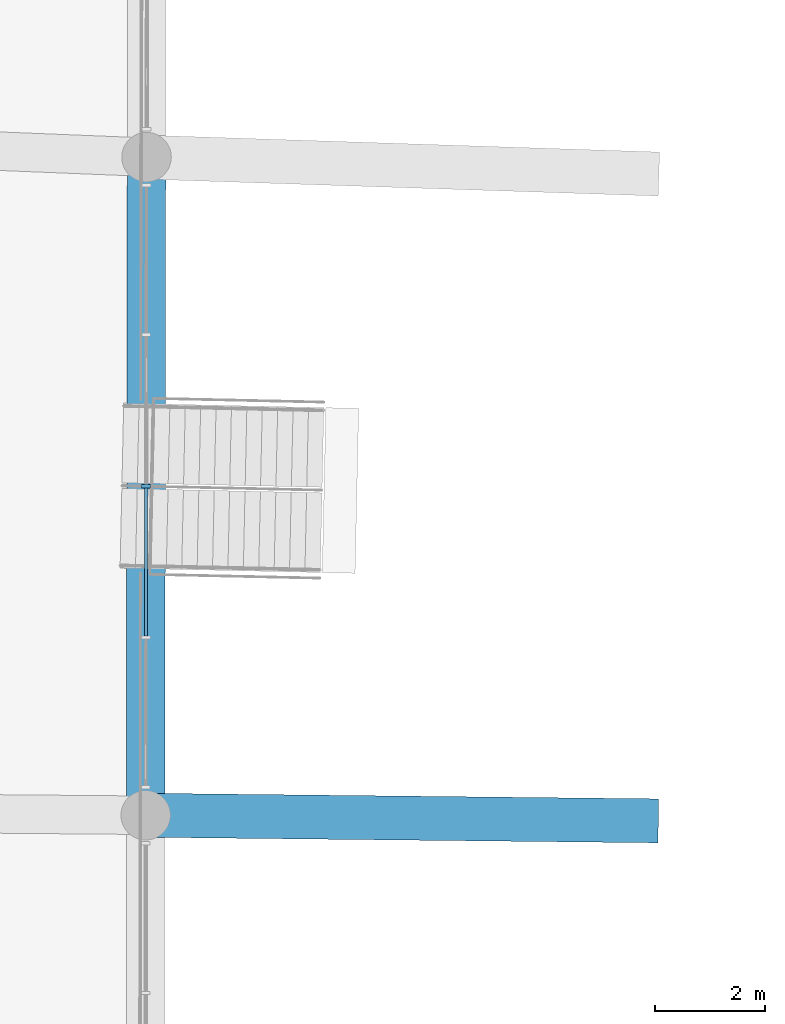
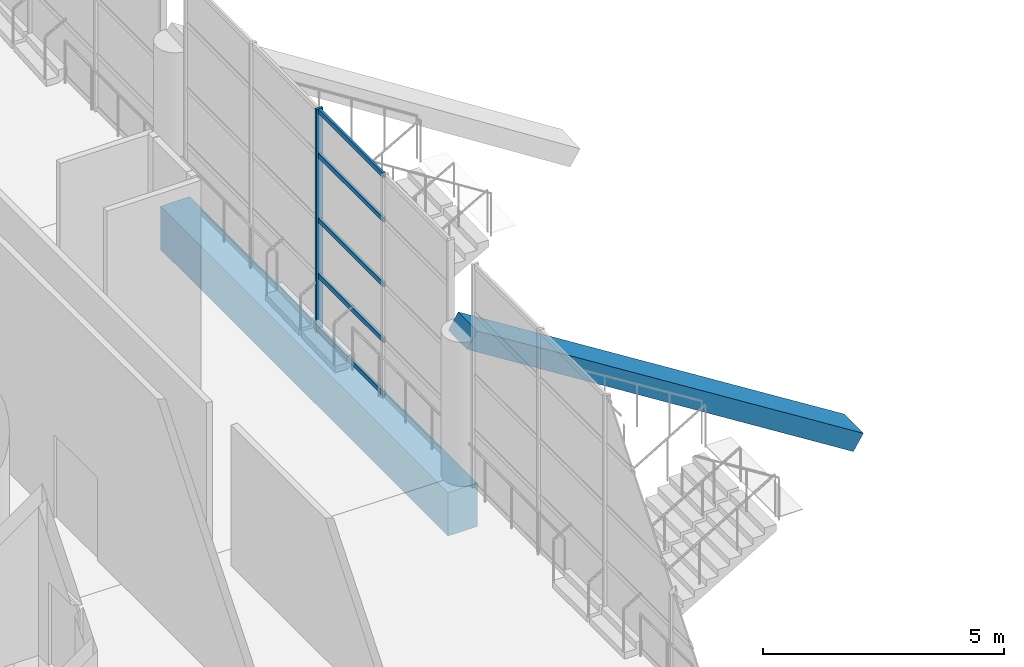
# One storey, part 11 of 173: 6 members, 2 beams, 1 element without a shape of its own.
"""IFC4 building model written with IfcOpenShell, lengths in metres."""

from ifc_helpers import new_model, si_unit, direction, frame, origin, origin_2d, place, context, subcontext, project, spatial, rectangle, extrude, material, layer, layer_set, material_profile, profile_set, type_object, element, aggregate, save


model = new_model("IFC4")

# Units and contexts
model_context = context("Model", 3, precision=1e-05, world=origin(), true_north=direction((0.0, 1.0)))
body_context = subcontext(model_context, "Body", "Model", "MODEL_VIEW")
ifc_project = project(units=[si_unit("LENGTHUNIT", "METRE"), si_unit("AREAUNIT", "SQUARE_METRE"), si_unit("VOLUMEUNIT", "CUBIC_METRE"), si_unit("PLANEANGLEUNIT", "RADIAN"), si_unit("MASSUNIT", "GRAM", prefix="KILO")], contexts=[model_context])

# Site, building, storey
site_placement = place(None, origin())
site = spatial("IfcSite", under=ifc_project, at=site_placement, CompositionType="ELEMENT")
building_placement = place(site_placement, origin())
building = spatial("IfcBuilding", under=site, at=building_placement, Name="Meseta Stadium", CompositionType="ELEMENT")
storey_placement = place(building_placement, frame((0.0, 0.0, 18.0)))
storey = spatial("IfcBuildingStorey", under=building, at=storey_placement, Name="L03", CompositionType="ELEMENT", Elevation=18.0)

# Curtain wall, members
ifc_material_1 = material(Name="Aluminium", Category="aluminium")
ifc_layer = layer(ifc_material_1, 0.25)
ifc_layer_set = layer_set([ifc_layer], Name="Media Centre glazing curtain wall")
curtain_wall_type = type_object("IfcCurtainWallType", Name="Media Centre glazing curtain wall", PredefinedType="NOTDEFINED", material=ifc_layer_set)
curtain_wall_placement = place(storey_placement, origin())
curtain_wall = element("IfcCurtainWall", 1, at=curtain_wall_placement, inside=storey, type_object=curtain_wall_type, Name="Media Centre glazing bay 31", PredefinedType="NOTDEFINED")
ifc_material_2 = material(Name="Aluminium", Category="aluminium")
ifc_material_profile_1 = material_profile(ifc_material_2, rectangle(XDim=0.159912109375, YDim=0.06005859375, at=origin_2d()), Name="CW 160x60")
ifc_profile_set_1 = profile_set([ifc_material_profile_1], Name="Aluminium")
member_type_1 = type_object("IfcMemberType", Name="CW mullion 60x160", PredefinedType="MULLION", material=ifc_profile_set_1)
member_1_placement = place(storey_placement, frame((-73.490234375, 11.96240234375, 0.0), z_axis=(0.0, 0.0, 1.0), x_axis=(0.999999147931, -0.001305425729, 0.0)))
member_1 = element("IfcMember", 2, at=member_1_placement, type_object=member_type_1, Name="CWM mullion 3", PredefinedType="MULLION", context=body_context, shape_type="SweptSolid", body=[
    extrude(rectangle(XDim=0.159912109375, YDim=0.06005859375, at=origin_2d()), origin(), (0.0, 0.0, 1.0), 5.64990234375),
])
ifc_material_3 = material(Name="Aluminium", Category="aluminium")
ifc_material_profile_2 = material_profile(ifc_material_3, rectangle(XDim=0.06005859375, YDim=0.1201171875, at=origin_2d()), Name="CW 60x120")
ifc_profile_set_2 = profile_set([ifc_material_profile_2], Name="Aluminium")
member_type_2 = type_object("IfcMemberType", Name="CW transom 60x120", PredefinedType="USERDEFINED", material=ifc_profile_set_2)
member_2_placement = place(storey_placement, frame((-73.490234375, 11.932373046875, 0.06005859375), z_axis=(-0.001360789813, -0.999999074125, 0.0), x_axis=(0.999999074125, -0.001360789813, 0.0)))
member_2 = element("IfcMember", 3, at=member_2_placement, type_object=member_type_2, Name="CWM transom 3.1", ObjectType="TRANSOM", PredefinedType="USERDEFINED", context=body_context, shape_type="SweptSolid", body=[
    extrude(rectangle(XDim=0.06005859375, YDim=0.1201171875, at=origin_2d()), origin(), (0.0, 0.0, 1.0), 2.691162109375),
])
member_3_placement = place(storey_placement, frame((-73.490234375, 11.932373046875, 1.41259765625), z_axis=(-0.001360789813, -0.999999074125, 0.0), x_axis=(0.999999074125, -0.001360789813, 0.0)))
member_3 = element("IfcMember", 4, at=member_3_placement, type_object=member_type_2, Name="CWM transom 3.2", ObjectType="TRANSOM", PredefinedType="USERDEFINED", context=body_context, shape_type="SweptSolid", body=[
    extrude(rectangle(XDim=0.06005859375, YDim=0.1201171875, at=origin_2d()), origin(), (0.0, 0.0, 1.0), 2.691162109375),
])
member_4_placement = place(storey_placement, frame((-73.490234375, 11.932373046875, 2.824951171875), z_axis=(-0.001360789813, -0.999999074125, 0.0), x_axis=(0.999999074125, -0.001360789813, 0.0)))
member_4 = element("IfcMember", 5, at=member_4_placement, type_object=member_type_2, Name="CWM transom 3.3", ObjectType="TRANSOM", PredefinedType="USERDEFINED", context=body_context, shape_type="SweptSolid", body=[
    extrude(rectangle(XDim=0.06005859375, YDim=0.1201171875, at=origin_2d()), origin(), (0.0, 0.0, 1.0), 2.691162109375),
])
member_5_placement = place(storey_placement, frame((-73.490234375, 11.932373046875, 4.4677734375), z_axis=(-0.001360789813, -0.999999074125, 0.0), x_axis=(0.999999074125, -0.001360789813, 0.0)))
member_5 = element("IfcMember", 6, at=member_5_placement, type_object=member_type_2, Name="CWM transom 3.4", ObjectType="TRANSOM", PredefinedType="USERDEFINED", context=body_context, shape_type="SweptSolid", body=[
    extrude(rectangle(XDim=0.06005859375, YDim=0.1201171875, at=origin_2d()), origin(), (0.0, 0.0, 1.0), 2.691162109375),
])
member_6_placement = place(storey_placement, frame((-73.490234375, 11.932373046875, 5.590087890625), z_axis=(-0.001360789813, -0.999999074125, 0.0), x_axis=(0.999999074125, -0.001360789813, 0.0)))
member_6 = element("IfcMember", 7, at=member_6_placement, type_object=member_type_2, Name="CWM transom 3.5", ObjectType="TRANSOM", PredefinedType="USERDEFINED", context=body_context, shape_type="SweptSolid", body=[
    extrude(rectangle(XDim=0.06005859375, YDim=0.1201171875, at=origin_2d()), origin(), (0.0, 0.0, 1.0), 2.691162109375),
])
aggregate(curtain_wall, [member_1, member_2, member_3, member_4, member_5, member_6])

# Beams
ifc_material_4 = material(Name="Concrete C40/50", Category="concrete")
ifc_material_profile_3 = material_profile(ifc_material_4, rectangle(XDim=0.699951171875, YDim=1.10009765625, at=origin_2d()), Name="RC 700x1100")
ifc_profile_set_3 = profile_set([ifc_material_profile_3], Name="Concrete C40/50")
beam_type_1 = type_object("IfcBeamType", Name="RC beam 700x1100", PredefinedType="BEAM", material=ifc_profile_set_3)
beam_1_placement = place(storey_placement, frame((-73.482421875, 17.943603515625, -0.89990234375), z_axis=(-0.001306174648, -0.999999146954, 0.0), x_axis=(0.999999146954, -0.001306174648, 0.0)))
element("IfcBeam", 8, at=beam_1_placement, inside=storey, type_object=beam_type_1, Name="L03 ring beam frame 31 line E", PredefinedType="BEAM", context=body_context, shape_type="SweptSolid", body=[
    extrude(rectangle(XDim=0.699951171875, YDim=1.10009765625, at=origin_2d()), origin(), (0.0, 0.0, 1.0), 11.96240234375),
])
ifc_material_5 = material(Name="Concrete C40/50", Category="concrete")
ifc_material_profile_4 = material_profile(ifc_material_5, rectangle(XDim=0.800048828125, YDim=0.449951171875, at=origin_2d()), Name="RC 800x450")
ifc_profile_set_4 = profile_set([ifc_material_profile_4], Name="Concrete C40/50")
beam_type_2 = type_object("IfcBeamType", Name="RC raker upper rear 800x450", PredefinedType="USERDEFINED", material=ifc_profile_set_4)
beam_2_placement = place(storey_placement, frame((-64.298583984375, 5.880615234375, -2.115966796875), z_axis=(-0.847958063329, 0.009271482235, 0.52998222843), x_axis=(-0.010933238898, -0.999940230357, 0.0)))
element("IfcBeam", 9, at=beam_2_placement, inside=storey, type_object=beam_type_2, Name="Raker upper rear frame 32 upper tier", ObjectType="RAKER", PredefinedType="USERDEFINED", context=body_context, shape_type="SweptSolid", body=[
    extrude(rectangle(XDim=0.800048828125, YDim=0.449951171875, at=origin_2d()), origin(), (0.0, 0.0, 1.0), 10.848876953125),
])

save(model, "model.ifc")
